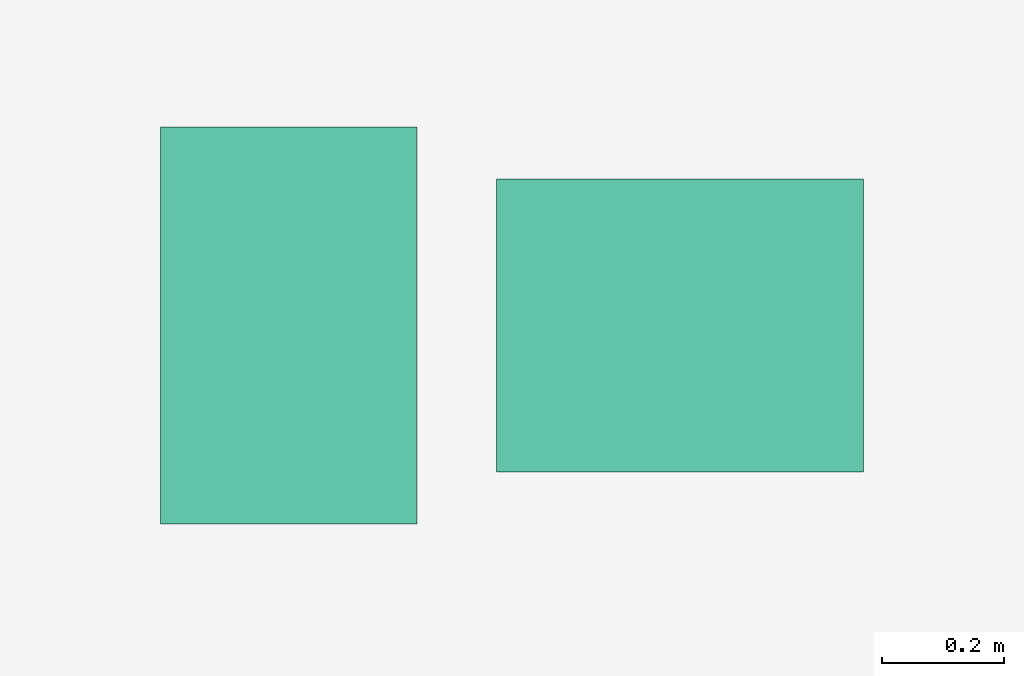
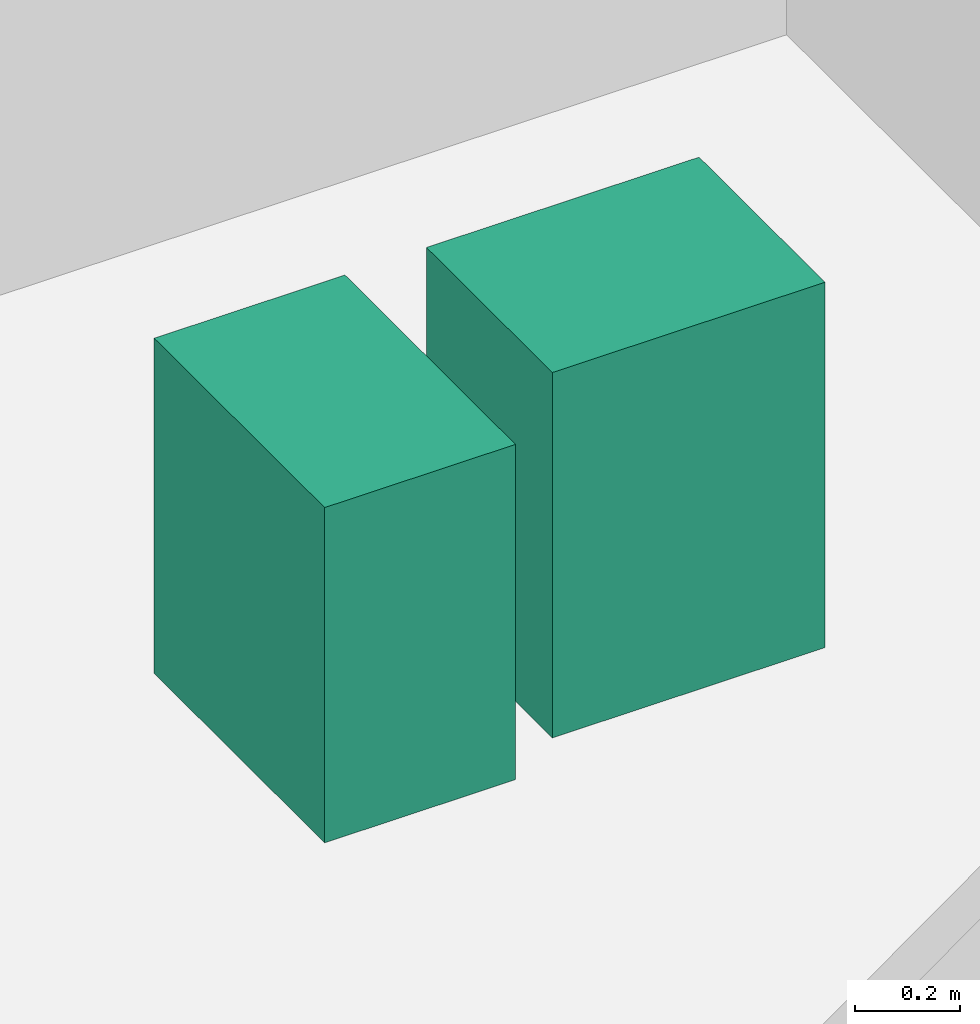
# One storey, part 7 of 7: 2 sanitary terminals.
"""IFC4 building model written with IfcOpenShell, lengths in metres."""

import ifcopenshell
import ifcopenshell.guid

model = None  # the IFC model being written
_history = None  # IfcOwnerHistory: only IFC2X3 demands one
_inside = {}  # id of a spatial element -> (the spatial element, [elements in it])
_under = {}  # id of a project, library or spatial element -> (it, [spatial elements below it])
_declared = {}  # id of a project -> (the project, [libraries it declares])
_typed = {}  # id of a type object -> (the type object, [elements of that type])
_made_of = {}  # id of a material, layer set ... -> (it, [elements and type objects made of it])


def new_model(schema):
    """Start an empty IFC model of exactly this schema.

    Asked for "IFC4X3", IfcOpenShell would pick the latest addendum, in which some entities
    have other attributes; the version numbers below select the first issue.
    IFC2X3 requires an IfcOwnerHistory on every rooted entity: one is made here for all.
    """
    global model, _history
    if schema == "IFC4X3":
        model = ifcopenshell.file(schema_version=(4, 3, 0, 0))
    else:
        model = ifcopenshell.file(schema=schema)
    _inside.clear()
    _under.clear()
    _declared.clear()
    _typed.clear()
    _made_of.clear()
    _history = None
    if model.schema == "IFC2X3":
        org = make("IfcOrganization", Name="unknown")
        user = make(
            "IfcPersonAndOrganization",
            ThePerson=make("IfcPerson", FamilyName="unknown"),
            TheOrganization=org,
        )
        app = make(
            "IfcApplication",
            ApplicationDeveloper=org,
            Version="unknown",
            ApplicationFullName="unknown",
            ApplicationIdentifier="unknown",
        )
        _history = make(
            "IfcOwnerHistory",
            OwningUser=user,
            OwningApplication=app,
            ChangeAction="ADDED",
            CreationDate=0,
        )
    return model


def make(cls, **values):
    """One entity of the class cls with the attributes given. An attribute that is None is left unset."""
    return model.create_entity(
        cls, **{name: value for name, value in values.items() if value is not None}
    )


def rooted(cls, **values):
    """An entity with a GlobalId (a new one), such as an element, a storey or a relation."""
    return make(cls, GlobalId=ifcopenshell.guid.new(), OwnerHistory=_history, **values)


def si_unit(unit_type, name, prefix=None):
    """IfcSIUnit, for example si_unit("LENGTHUNIT", "METRE", prefix="MILLI")."""
    return make("IfcSIUnit", UnitType=unit_type, Prefix=prefix, Name=name)


def assignment(units):
    """IfcUnitAssignment: the units of a project."""
    return None if units is None else make("IfcUnitAssignment", Units=units)


def point(xyz):
    """IfcCartesianPoint."""
    return None if xyz is None else make("IfcCartesianPoint", Coordinates=xyz)


def direction(xyz):
    """IfcDirection."""
    return None if xyz is None else make("IfcDirection", DirectionRatios=xyz)


def frame(location, z_axis=None, x_axis=None):
    """IfcAxis2Placement3D, a coordinate frame: its origin and axes. An axis left out is left unset."""
    return make(
        "IfcAxis2Placement3D",
        Location=point(location),
        Axis=direction(z_axis),
        RefDirection=direction(x_axis),
    )


def frame_2d(location, x_axis=None):
    """IfcAxis2Placement2D, a coordinate frame in the plane: its origin and x axis."""
    return make(
        "IfcAxis2Placement2D", Location=point(location), RefDirection=direction(x_axis)
    )


def origin():
    """The frame at (0, 0, 0) with its axes left unset."""
    return frame((0.0, 0.0, 0.0))


def origin_2d():
    """The frame at (0, 0) in the plane with its x axis left unset."""
    return frame_2d((0.0, 0.0))


def place(relative_to, where):
    """IfcLocalPlacement: puts the frame where relative to a parent placement (None: the world)."""
    return make(
        "IfcLocalPlacement", PlacementRelTo=relative_to, RelativePlacement=where
    )


def context(
    kind, dimensions, precision=None, world=None, true_north=None, identifier=None
):
    """IfcGeometricRepresentationContext, for example the 3D "Model" context."""
    return make(
        "IfcGeometricRepresentationContext",
        ContextIdentifier=identifier,
        ContextType=kind,
        CoordinateSpaceDimension=dimensions,
        Precision=precision,
        WorldCoordinateSystem=world,
        TrueNorth=true_north,
    )


def subcontext(parent, identifier, kind, view, scale=None):
    """IfcGeometricRepresentationSubContext, for example "Body" below "Model"."""
    return make(
        "IfcGeometricRepresentationSubContext",
        ContextIdentifier=identifier,
        ContextType=kind,
        ParentContext=parent,
        TargetScale=scale,
        TargetView=view,
    )


def project(units=None, contexts=None):
    """IfcProject with its units and contexts."""
    return rooted(
        "IfcProject",
        Name="project",
        RepresentationContexts=contexts,
        UnitsInContext=assignment(units),
    )


def spatial(cls, under=None, at=None, **own):
    """A site, building, storey or space (cls), placed at a placement, below another one or the project."""
    s = rooted(cls, ObjectPlacement=at, **own)
    if under is not None:
        _under.setdefault(under.id(), (under, []))[1].append(s)
    return s


def profile(cls, at=None, kind="AREA", **sizes):
    """A parametric profile (cls). Its sizes go by their IFC names, for example OverallWidth=200.0."""
    return make(cls, ProfileType=kind, Position=at, **sizes)


def rectangle(**sizes):
    """IfcRectangleProfileDef."""
    return profile("IfcRectangleProfileDef", **sizes)


def extrude(swept, where, along, depth):
    """IfcExtrudedAreaSolid: the profile swept, set in the frame where, extruded along a direction by depth."""
    return make(
        "IfcExtrudedAreaSolid",
        SweptArea=swept,
        Position=where,
        ExtrudedDirection=direction(along),
        Depth=depth,
    )


def shape(context_of_items, identifier, shape_type, items):
    """IfcShapeRepresentation: the items that make up one representation, for example the "Body"."""
    return make(
        "IfcShapeRepresentation",
        ContextOfItems=context_of_items,
        RepresentationIdentifier=identifier,
        RepresentationType=shape_type,
        Items=items,
    )


def material(Name=None, Category=None):
    """IfcMaterial."""
    return make("IfcMaterial", Name=Name, Category=Category)


def made_of(thing, what):
    """Note that an element or type object is made of a material, layer set ...; save() writes the relation."""
    if what is not None:
        _made_of.setdefault(what.id(), (what, []))[1].append(thing)
    return thing


def type_object(cls, material=None, **own):
    """A type object (cls), such as IfcWallType, which elements share."""
    return made_of(rooted(cls, **own), material)


def element(
    cls,
    number,
    at=None,
    inside=None,
    cuts=None,
    type_object=None,
    material=None,
    context=None,
    identifier="Body",
    shape_type=None,
    held_by="IfcProductDefinitionShape",
    body=None,
    shapes=None,
    **own,
):
    """One element of the class cls, such as IfcWall. Its Tag is "e" and its number.

    at: its placement. inside: the storey or other place that contains it. cuts: it is an
    opening in that element (IfcRelVoidsElement). A single representation is given by context,
    identifier, shape_type and body (its items); several are given by shapes. held_by: the class
    of the entity that holds the representations. save() writes the other relations.
    """
    e = rooted(cls, Tag="e%d" % number, ObjectPlacement=at, **own)
    if body is not None:
        shapes = [shape(context, identifier, shape_type, body)]
    if shapes is not None:
        e.Representation = make(held_by, Representations=shapes)
    if inside is not None:
        _inside.setdefault(inside.id(), (inside, []))[1].append(e)
    if cuts is not None:
        rooted(
            "IfcRelVoidsElement", RelatingBuildingElement=cuts, RelatedOpeningElement=e
        )
    if type_object is not None:
        _typed.setdefault(type_object.id(), (type_object, []))[1].append(e)
    return made_of(e, material)


def aggregate(whole, parts):
    """IfcRelAggregates: a whole, such as a stair, and the parts it consists of."""
    return rooted("IfcRelAggregates", RelatingObject=whole, RelatedObjects=parts)


def save(model, path):
    """Write the relations noted so far, then the file.

    IfcRelAggregates (storeys below a building ...), IfcRelContainedInSpatialStructure (elements
    in a storey), IfcRelDefinesByType, IfcRelAssociatesMaterial and IfcRelDeclares: one each for
    every whole, place, type object, material and project.
    """
    for whole, parts in _under.values():
        aggregate(whole, parts)
    for where, things in _inside.values():
        rooted(
            "IfcRelContainedInSpatialStructure",
            RelatedElements=things,
            RelatingStructure=where,
        )
    for kind, things in _typed.values():
        rooted("IfcRelDefinesByType", RelatedObjects=things, RelatingType=kind)
    for what, things in _made_of.values():
        rooted("IfcRelAssociatesMaterial", RelatedObjects=things, RelatingMaterial=what)
    for by, libraries in _declared.values():
        rooted("IfcRelDeclares", RelatingContext=by, RelatedDefinitions=libraries)
    model.write(path)


model = new_model("IFC4")

# Units and contexts
model_context = context("Model", 3, precision=1e-05, world=origin(), true_north=direction((0.0, 1.0)))
body_context = subcontext(model_context, "Body", "Model", "MODEL_VIEW")
ifc_project = project(units=[si_unit("LENGTHUNIT", "METRE"), si_unit("AREAUNIT", "SQUARE_METRE"), si_unit("VOLUMEUNIT", "CUBIC_METRE"), si_unit("PLANEANGLEUNIT", "RADIAN"), si_unit("MASSUNIT", "GRAM", prefix="KILO")], contexts=[model_context])

# Site, building, storey
site_placement = place(None, origin())
site = spatial("IfcSite", under=ifc_project, at=site_placement, CompositionType="ELEMENT")
building_placement = place(site_placement, origin())
building = spatial("IfcBuilding", under=site, at=building_placement, Name="Solmavex Isthmus Hotel", CompositionType="ELEMENT")
storey_placement = place(building_placement, frame((0.0, 0.0, 302.699951171875)))
storey = spatial("IfcBuildingStorey", under=building, at=storey_placement, Name="L81", CompositionType="ELEMENT", Elevation=302.699951171875)

# Sanitary terminals
ifc_material = material(Name="Vitreous china ceramic", Category="ceramic")
sanitary_terminal_type_1 = type_object("IfcSanitaryTerminalType", Name="SAN-BASIN", PredefinedType="WASHHANDBASIN", material=ifc_material)
sanitary_terminal_1_placement = place(storey_placement, frame((3.570068359375, -4.360107421875, 0.0), z_axis=(0.0, 0.0, 1.0), x_axis=(1.0, 0.0, 0.0)))
element("IfcSanitaryTerminal", 1, at=sanitary_terminal_1_placement, inside=storey, type_object=sanitary_terminal_type_1, Name="Vanity Washbasin L81-392", PredefinedType="WASHHANDBASIN", context=body_context, shape_type="SweptSolid", body=[
    extrude(rectangle(XDim=0.60009765625, YDim=0.47998046875, at=origin_2d()), origin(), (0.0, 0.0, 1.0), 0.85009765625),
])
sanitary_terminal_type_2 = type_object("IfcSanitaryTerminalType", Name="SAN-WC-SUITE", PredefinedType="TOILETPAN", material=ifc_material)
sanitary_terminal_2_placement = place(storey_placement, frame((2.929931640625, -4.360107421875, 0.0), z_axis=(0.0, 0.0, 1.0), x_axis=(1.0, 0.0, 0.0)))
element("IfcSanitaryTerminal", 2, at=sanitary_terminal_2_placement, inside=storey, type_object=sanitary_terminal_type_2, Name="Water Closet L81-392", PredefinedType="TOILETPAN", context=body_context, shape_type="SweptSolid", body=[
    extrude(rectangle(XDim=0.419921875, YDim=0.64990234375, at=origin_2d()), origin(), (0.0, 0.0, 1.0), 0.780029296875),
])

save(model, "model.ifc")
